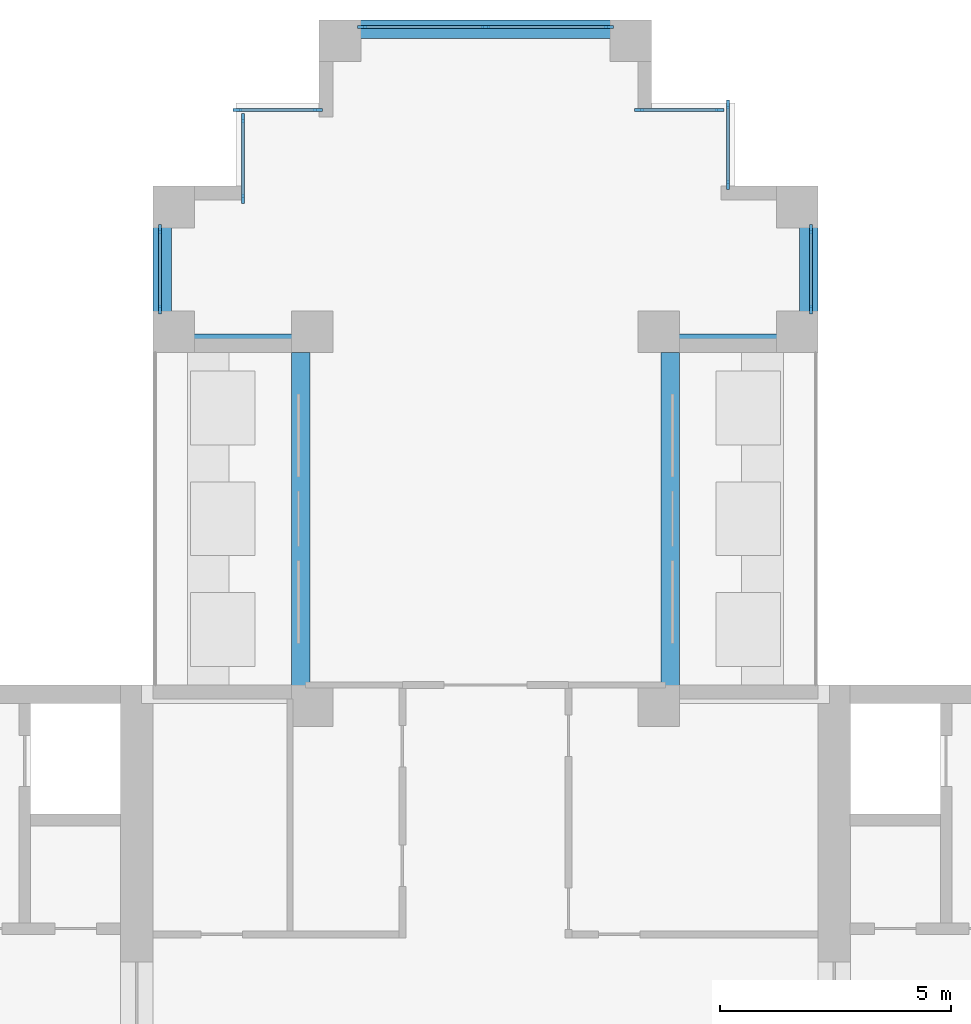
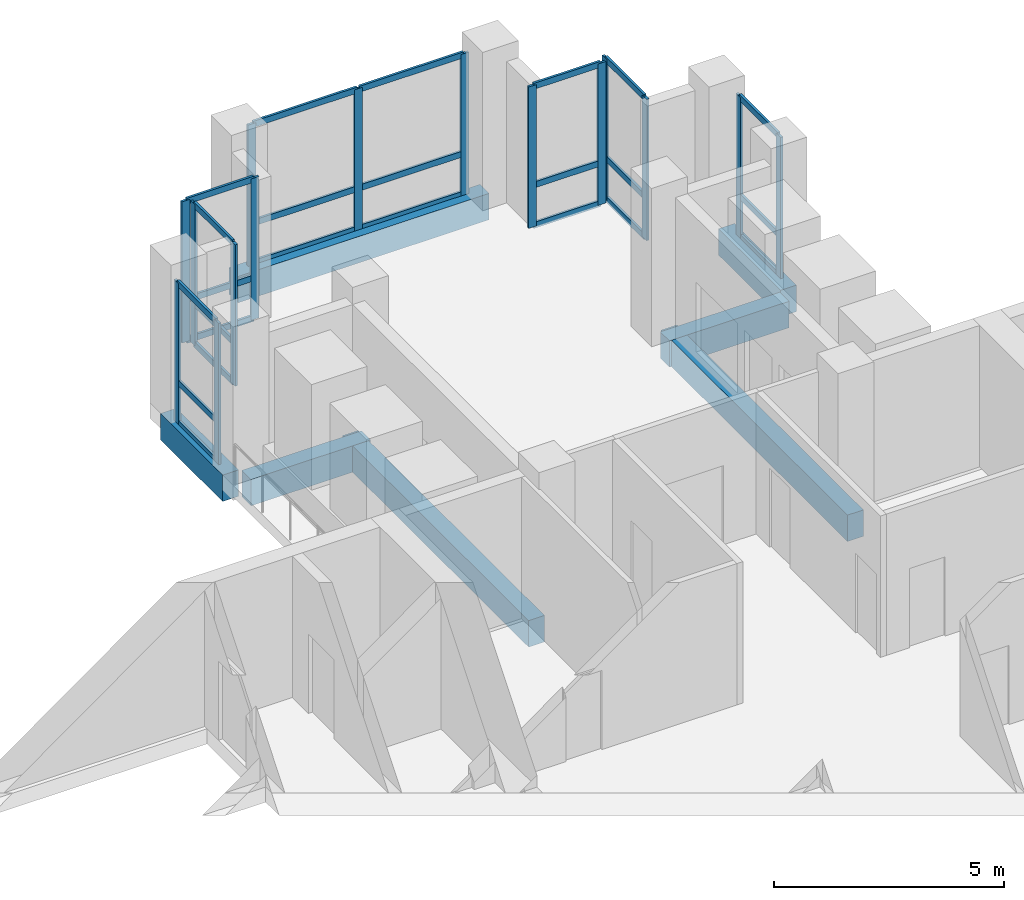
# One storey, part 5 of 13: 39 members, 7 beams, 7 elements without a shape of their own.
"""IFC4 building model written with IfcOpenShell, lengths in metres."""

from ifc_helpers import new_model, si_unit, direction, frame, origin, origin_2d, place, context, subcontext, project, spatial, rectangle, extrude, material, material_profile, profile_set, type_object, element, aggregate, save


model = new_model("IFC4")

# Units and contexts
model_context = context("Model", 3, precision=1e-05, world=origin(), true_north=direction((0.0, 1.0)))
body_context = subcontext(model_context, "Body", "Model", "MODEL_VIEW")
ifc_project = project(units=[si_unit("LENGTHUNIT", "METRE"), si_unit("AREAUNIT", "SQUARE_METRE"), si_unit("VOLUMEUNIT", "CUBIC_METRE"), si_unit("PLANEANGLEUNIT", "RADIAN"), si_unit("MASSUNIT", "GRAM", prefix="KILO")], contexts=[model_context])

# Site, building, storey
site_placement = place(None, origin())
site = spatial("IfcSite", under=ifc_project, at=site_placement, CompositionType="ELEMENT")
building_placement = place(site_placement, origin())
building = spatial("IfcBuilding", under=site, at=building_placement, Name="Fustian Cross Tower", CompositionType="ELEMENT")
storey_placement = place(building_placement, frame((0.0, 0.0, 237.89990234375)))
storey = spatial("IfcBuildingStorey", under=building, at=storey_placement, Name="L75", CompositionType="ELEMENT", Elevation=237.89990234375)

# Curtain wall, members
ifc_material_1 = material(Name="Dark anodised aluminium and double glazing", Category="aluminium")
curtain_wall_type = type_object("IfcCurtainWallType", Name="CW2 SUMMIT LOUNGE CURTAIN WALL", PredefinedType="NOTDEFINED", material=ifc_material_1)
curtain_wall_1_placement = place(storey_placement, origin())
curtain_wall_1 = element("IfcCurtainWall", 1, at=curtain_wall_1_placement, inside=storey, type_object=curtain_wall_type, Name="Curtain wall", PredefinedType="NOTDEFINED")
ifc_material_2 = material(Name="Aluminium alloy 6063", Category="aluminium")
ifc_material_profile_1 = material_profile(ifc_material_2, rectangle(XDim=0.06005859375, YDim=0.199951171875, at=origin_2d()), Name="CW2 MULLION 60X200")
ifc_profile_set_1 = profile_set([ifc_material_profile_1], Name="Aluminium alloy 6063")
member_type_1 = type_object("IfcMemberType", Name="CW2 MULLION 60X200", PredefinedType="MULLION", material=ifc_profile_set_1)
member_1_placement = place(storey_placement, frame((7.050048828125, 15.330078125, 0.0), z_axis=(0.0, 0.0, 1.0), x_axis=(-1.0, 0.0, 0.0)))
member_1 = element("IfcMember", 2, at=member_1_placement, type_object=member_type_1, Name="CW2 mullion 1", PredefinedType="MULLION", context=body_context, shape_type="SweptSolid", body=[
    extrude(rectangle(XDim=0.06005859375, YDim=0.199951171875, at=origin_2d()), origin(), (0.0, 0.0, 1.0), 3.75),
])
member_2_placement = place(storey_placement, frame((7.050048828125, 17.070068359375, 0.0), z_axis=(0.0, 0.0, 1.0), x_axis=(-1.0, 0.0, 0.0)))
member_2 = element("IfcMember", 3, at=member_2_placement, type_object=member_type_1, Name="CW2 mullion 2", PredefinedType="MULLION", context=body_context, shape_type="SweptSolid", body=[
    extrude(rectangle(XDim=0.06005859375, YDim=0.199951171875, at=origin_2d()), origin(), (0.0, 0.0, 1.0), 3.75),
])

curtain_wall_2_placement = place(storey_placement, origin())
curtain_wall_2 = element("IfcCurtainWall", 4, at=curtain_wall_2_placement, inside=storey, type_object=curtain_wall_type, Name="Curtain wall", PredefinedType="NOTDEFINED")
member_3_placement = place(storey_placement, frame((5.25, 18.030029296875, 0.0), z_axis=(0.0, 0.0, 1.0), x_axis=(-1.0, 0.0, 0.0)))
member_3 = element("IfcMember", 5, at=member_3_placement, type_object=member_type_1, Name="CW2 mullion 1", PredefinedType="MULLION", context=body_context, shape_type="SweptSolid", body=[
    extrude(rectangle(XDim=0.06005859375, YDim=0.199951171875, at=origin_2d()), origin(), (0.0, 0.0, 1.0), 3.75),
])
member_4_placement = place(storey_placement, frame((5.25, 19.77001953125, 0.0), z_axis=(0.0, 0.0, 1.0), x_axis=(-1.0, 0.0, 0.0)))
member_4 = element("IfcMember", 6, at=member_4_placement, type_object=member_type_1, Name="CW2 mullion 2", PredefinedType="MULLION", context=body_context, shape_type="SweptSolid", body=[
    extrude(rectangle(XDim=0.06005859375, YDim=0.199951171875, at=origin_2d()), origin(), (0.0, 0.0, 1.0), 3.75),
])

curtain_wall_3_placement = place(storey_placement, origin())
curtain_wall_3 = element("IfcCurtainWall", 7, at=curtain_wall_3_placement, inside=storey, type_object=curtain_wall_type, Name="Curtain wall", PredefinedType="NOTDEFINED")
member_5_placement = place(storey_placement, frame((5.070068359375, 19.64990234375, 0.0), z_axis=(0.0, 0.0, 1.0), x_axis=(0.0, -1.0, 0.0)))
member_5 = element("IfcMember", 8, at=member_5_placement, type_object=member_type_1, Name="CW2 mullion 1", PredefinedType="MULLION", context=body_context, shape_type="SweptSolid", body=[
    extrude(rectangle(XDim=0.06005859375, YDim=0.199951171875, at=origin_2d()), origin(), (0.0, 0.0, 1.0), 3.75),
])
member_6_placement = place(storey_placement, frame((3.330078125, 19.64990234375, 0.0), z_axis=(0.0, 0.0, 1.0), x_axis=(0.0, -1.0, 0.0)))
member_6 = element("IfcMember", 9, at=member_6_placement, type_object=member_type_1, Name="CW2 mullion 2", PredefinedType="MULLION", context=body_context, shape_type="SweptSolid", body=[
    extrude(rectangle(XDim=0.06005859375, YDim=0.199951171875, at=origin_2d()), origin(), (0.0, 0.0, 1.0), 3.75),
])

curtain_wall_4_placement = place(storey_placement, origin())
curtain_wall_4 = element("IfcCurtainWall", 10, at=curtain_wall_4_placement, inside=storey, type_object=curtain_wall_type, Name="Curtain wall", PredefinedType="NOTDEFINED")
member_7_placement = place(storey_placement, frame((2.669921875, 21.449951171875, 0.0), z_axis=(0.0, 0.0, 1.0), x_axis=(0.0, -1.0, 0.0)))
member_7 = element("IfcMember", 11, at=member_7_placement, type_object=member_type_1, Name="CW2 mullion 1", PredefinedType="MULLION", context=body_context, shape_type="SweptSolid", body=[
    extrude(rectangle(XDim=0.06005859375, YDim=0.199951171875, at=origin_2d()), origin(), (0.0, 0.0, 1.0), 3.75),
])
member_8_placement = place(storey_placement, frame((0.0, 21.449951171875, 0.0), z_axis=(0.0, 0.0, 1.0), x_axis=(0.0, -1.0, 0.0)))
member_8 = element("IfcMember", 12, at=member_8_placement, type_object=member_type_1, Name="CW2 mullion 2", PredefinedType="MULLION", context=body_context, shape_type="SweptSolid", body=[
    extrude(rectangle(XDim=0.06005859375, YDim=0.199951171875, at=origin_2d()), origin(), (0.0, 0.0, 1.0), 3.75),
])
member_9_placement = place(storey_placement, frame((-2.669921875, 21.449951171875, 0.0), z_axis=(0.0, 0.0, 1.0), x_axis=(0.0, -1.0, 0.0)))
member_9 = element("IfcMember", 13, at=member_9_placement, type_object=member_type_1, Name="CW2 mullion 3", PredefinedType="MULLION", context=body_context, shape_type="SweptSolid", body=[
    extrude(rectangle(XDim=0.06005859375, YDim=0.199951171875, at=origin_2d()), origin(), (0.0, 0.0, 1.0), 3.75),
])

curtain_wall_5_placement = place(storey_placement, origin())
curtain_wall_5 = element("IfcCurtainWall", 14, at=curtain_wall_5_placement, inside=storey, type_object=curtain_wall_type, Name="Curtain wall", PredefinedType="NOTDEFINED")
member_10_placement = place(storey_placement, frame((-3.6298828125, 19.64990234375, 0.0), z_axis=(0.0, 0.0, 1.0), x_axis=(0.0, -1.0, 0.0)))
member_10 = element("IfcMember", 15, at=member_10_placement, type_object=member_type_1, Name="CW2 mullion 1", PredefinedType="MULLION", context=body_context, shape_type="SweptSolid", body=[
    extrude(rectangle(XDim=0.06005859375, YDim=0.199951171875, at=origin_2d()), origin(), (0.0, 0.0, 1.0), 3.75),
])
member_11_placement = place(storey_placement, frame((-5.3701171875, 19.64990234375, 0.0), z_axis=(0.0, 0.0, 1.0), x_axis=(0.0, -1.0, 0.0)))
member_11 = element("IfcMember", 16, at=member_11_placement, type_object=member_type_1, Name="CW2 mullion 2", PredefinedType="MULLION", context=body_context, shape_type="SweptSolid", body=[
    extrude(rectangle(XDim=0.06005859375, YDim=0.199951171875, at=origin_2d()), origin(), (0.0, 0.0, 1.0), 3.75),
])

curtain_wall_6_placement = place(storey_placement, origin())
curtain_wall_6 = element("IfcCurtainWall", 17, at=curtain_wall_6_placement, inside=storey, type_object=curtain_wall_type, Name="Curtain wall", PredefinedType="NOTDEFINED")
member_12_placement = place(storey_placement, frame((-5.25, 19.469970703125, 0.0), z_axis=(0.0, 0.0, 1.0), x_axis=(1.0, 0.0, 0.0)))
member_12 = element("IfcMember", 18, at=member_12_placement, type_object=member_type_1, Name="CW2 mullion 1", PredefinedType="MULLION", context=body_context, shape_type="SweptSolid", body=[
    extrude(rectangle(XDim=0.06005859375, YDim=0.199951171875, at=origin_2d()), origin(), (0.0, 0.0, 1.0), 3.75),
])
member_13_placement = place(storey_placement, frame((-5.25, 17.72998046875, 0.0), z_axis=(0.0, 0.0, 1.0), x_axis=(1.0, 0.0, 0.0)))
member_13 = element("IfcMember", 19, at=member_13_placement, type_object=member_type_1, Name="CW2 mullion 2", PredefinedType="MULLION", context=body_context, shape_type="SweptSolid", body=[
    extrude(rectangle(XDim=0.06005859375, YDim=0.199951171875, at=origin_2d()), origin(), (0.0, 0.0, 1.0), 3.75),
])

curtain_wall_7_placement = place(storey_placement, origin())
curtain_wall_7 = element("IfcCurtainWall", 20, at=curtain_wall_7_placement, inside=storey, type_object=curtain_wall_type, Name="Curtain wall", PredefinedType="NOTDEFINED")
member_14_placement = place(storey_placement, frame((-7.050048828125, 17.070068359375, 0.0), z_axis=(0.0, 0.0, 1.0), x_axis=(1.0, 0.0, 0.0)))
member_14 = element("IfcMember", 21, at=member_14_placement, type_object=member_type_1, Name="CW2 mullion 1", PredefinedType="MULLION", context=body_context, shape_type="SweptSolid", body=[
    extrude(rectangle(XDim=0.06005859375, YDim=0.199951171875, at=origin_2d()), origin(), (0.0, 0.0, 1.0), 3.75),
])
member_15_placement = place(storey_placement, frame((-7.050048828125, 15.330078125, 0.0), z_axis=(0.0, 0.0, 1.0), x_axis=(1.0, 0.0, 0.0)))
member_15 = element("IfcMember", 22, at=member_15_placement, type_object=member_type_1, Name="CW2 mullion 2", PredefinedType="MULLION", context=body_context, shape_type="SweptSolid", body=[
    extrude(rectangle(XDim=0.06005859375, YDim=0.199951171875, at=origin_2d()), origin(), (0.0, 0.0, 1.0), 3.75),
])

# Member
ifc_material_3 = material(Name="Aluminium alloy 6063", Category="aluminium")
ifc_material_profile_2 = material_profile(ifc_material_3, rectangle(XDim=0.06005859375, YDim=0.159912109375, at=origin_2d()), Name="CW2 TRANSOM 60X160")
ifc_profile_set_2 = profile_set([ifc_material_profile_2], Name="Aluminium alloy 6063")
member_type_2 = type_object("IfcMemberType", Name="CW2 TRANSOM 60X160", PredefinedType="USERDEFINED", material=ifc_profile_set_2)
member_16_placement = place(storey_placement, frame((7.050048828125, 15.360107421875, 0.030029296875), z_axis=(0.0, 1.0, 0.0), x_axis=(-1.0, 0.0, 0.0)))
member_16 = element("IfcMember", 23, at=member_16_placement, type_object=member_type_2, Name="CW2 transom 1.1", ObjectType="TRANSOM", PredefinedType="USERDEFINED", context=body_context, shape_type="SweptSolid", body=[
    extrude(rectangle(XDim=0.06005859375, YDim=0.159912109375, at=origin_2d()), origin(), (0.0, 0.0, 1.0), 1.679931640625),
])

member_17_placement = place(storey_placement, frame((7.050048828125, 15.360107421875, 1.10009765625), z_axis=(0.0, 1.0, 0.0), x_axis=(-1.0, 0.0, 0.0)))
member_17 = element("IfcMember", 24, at=member_17_placement, type_object=member_type_2, Name="CW2 transom 1.2", ObjectType="TRANSOM", PredefinedType="USERDEFINED", context=body_context, shape_type="SweptSolid", body=[
    extrude(rectangle(XDim=0.06005859375, YDim=0.159912109375, at=origin_2d()), origin(), (0.0, 0.0, 1.0), 1.679931640625),
])

member_18_placement = place(storey_placement, frame((7.050048828125, 15.360107421875, 3.72021484375), z_axis=(0.0, 1.0, 0.0), x_axis=(-1.0, 0.0, 0.0)))
member_18 = element("IfcMember", 25, at=member_18_placement, type_object=member_type_2, Name="CW2 transom 1.3", ObjectType="TRANSOM", PredefinedType="USERDEFINED", context=body_context, shape_type="SweptSolid", body=[
    extrude(rectangle(XDim=0.06005859375, YDim=0.159912109375, at=origin_2d()), origin(), (0.0, 0.0, 1.0), 1.679931640625),
])

aggregate(curtain_wall_1, [member_1, member_2, member_16, member_17, member_18])

member_19_placement = place(storey_placement, frame((5.25, 18.06005859375, 0.030029296875), z_axis=(0.0, 1.0, 0.0), x_axis=(-1.0, 0.0, 0.0)))
member_19 = element("IfcMember", 26, at=member_19_placement, type_object=member_type_2, Name="CW2 transom 1.1", ObjectType="TRANSOM", PredefinedType="USERDEFINED", context=body_context, shape_type="SweptSolid", body=[
    extrude(rectangle(XDim=0.06005859375, YDim=0.159912109375, at=origin_2d()), origin(), (0.0, 0.0, 1.0), 1.679931640625),
])

member_20_placement = place(storey_placement, frame((5.25, 18.06005859375, 1.10009765625), z_axis=(0.0, 1.0, 0.0), x_axis=(-1.0, 0.0, 0.0)))
member_20 = element("IfcMember", 27, at=member_20_placement, type_object=member_type_2, Name="CW2 transom 1.2", ObjectType="TRANSOM", PredefinedType="USERDEFINED", context=body_context, shape_type="SweptSolid", body=[
    extrude(rectangle(XDim=0.06005859375, YDim=0.159912109375, at=origin_2d()), origin(), (0.0, 0.0, 1.0), 1.679931640625),
])

member_21_placement = place(storey_placement, frame((5.25, 18.06005859375, 3.72021484375), z_axis=(0.0, 1.0, 0.0), x_axis=(-1.0, 0.0, 0.0)))
member_21 = element("IfcMember", 28, at=member_21_placement, type_object=member_type_2, Name="CW2 transom 1.3", ObjectType="TRANSOM", PredefinedType="USERDEFINED", context=body_context, shape_type="SweptSolid", body=[
    extrude(rectangle(XDim=0.06005859375, YDim=0.159912109375, at=origin_2d()), origin(), (0.0, 0.0, 1.0), 1.679931640625),
])

aggregate(curtain_wall_2, [member_3, member_4, member_19, member_20, member_21])

member_22_placement = place(storey_placement, frame((5.0400390625, 19.64990234375, 0.030029296875), z_axis=(-1.0, 0.0, 0.0), x_axis=(0.0, -1.0, 0.0)))
member_22 = element("IfcMember", 29, at=member_22_placement, type_object=member_type_2, Name="CW2 transom 1.1", ObjectType="TRANSOM", PredefinedType="USERDEFINED", context=body_context, shape_type="SweptSolid", body=[
    extrude(rectangle(XDim=0.06005859375, YDim=0.159912109375, at=origin_2d()), origin(), (0.0, 0.0, 1.0), 1.679931640625),
])

member_23_placement = place(storey_placement, frame((5.0400390625, 19.64990234375, 1.10009765625), z_axis=(-1.0, 0.0, 0.0), x_axis=(0.0, -1.0, 0.0)))
member_23 = element("IfcMember", 30, at=member_23_placement, type_object=member_type_2, Name="CW2 transom 1.2", ObjectType="TRANSOM", PredefinedType="USERDEFINED", context=body_context, shape_type="SweptSolid", body=[
    extrude(rectangle(XDim=0.06005859375, YDim=0.159912109375, at=origin_2d()), origin(), (0.0, 0.0, 1.0), 1.679931640625),
])

member_24_placement = place(storey_placement, frame((5.0400390625, 19.64990234375, 3.72021484375), z_axis=(-1.0, 0.0, 0.0), x_axis=(0.0, -1.0, 0.0)))
member_24 = element("IfcMember", 31, at=member_24_placement, type_object=member_type_2, Name="CW2 transom 1.3", ObjectType="TRANSOM", PredefinedType="USERDEFINED", context=body_context, shape_type="SweptSolid", body=[
    extrude(rectangle(XDim=0.06005859375, YDim=0.159912109375, at=origin_2d()), origin(), (0.0, 0.0, 1.0), 1.679931640625),
])

aggregate(curtain_wall_3, [member_5, member_6, member_22, member_23, member_24])

member_25_placement = place(storey_placement, frame((2.639892578125, 21.449951171875, 0.030029296875), z_axis=(-1.0, 0.0, 0.0), x_axis=(0.0, -1.0, 0.0)))
member_25 = element("IfcMember", 32, at=member_25_placement, type_object=member_type_2, Name="CW2 transom 1.1", ObjectType="TRANSOM", PredefinedType="USERDEFINED", context=body_context, shape_type="SweptSolid", body=[
    extrude(rectangle(XDim=0.06005859375, YDim=0.159912109375, at=origin_2d()), origin(), (0.0, 0.0, 1.0), 2.60986328125),
])

member_26_placement = place(storey_placement, frame((2.639892578125, 21.449951171875, 1.10009765625), z_axis=(-1.0, 0.0, 0.0), x_axis=(0.0, -1.0, 0.0)))
member_26 = element("IfcMember", 33, at=member_26_placement, type_object=member_type_2, Name="CW2 transom 1.2", ObjectType="TRANSOM", PredefinedType="USERDEFINED", context=body_context, shape_type="SweptSolid", body=[
    extrude(rectangle(XDim=0.06005859375, YDim=0.159912109375, at=origin_2d()), origin(), (0.0, 0.0, 1.0), 2.60986328125),
])

member_27_placement = place(storey_placement, frame((2.639892578125, 21.449951171875, 3.72021484375), z_axis=(-1.0, 0.0, 0.0), x_axis=(0.0, -1.0, 0.0)))
member_27 = element("IfcMember", 34, at=member_27_placement, type_object=member_type_2, Name="CW2 transom 1.3", ObjectType="TRANSOM", PredefinedType="USERDEFINED", context=body_context, shape_type="SweptSolid", body=[
    extrude(rectangle(XDim=0.06005859375, YDim=0.159912109375, at=origin_2d()), origin(), (0.0, 0.0, 1.0), 2.60986328125),
])

member_28_placement = place(storey_placement, frame((-0.030029296875, 21.449951171875, 0.030029296875), z_axis=(-1.0, 0.0, 0.0), x_axis=(0.0, -1.0, 0.0)))
member_28 = element("IfcMember", 35, at=member_28_placement, type_object=member_type_2, Name="CW2 transom 2.1", ObjectType="TRANSOM", PredefinedType="USERDEFINED", context=body_context, shape_type="SweptSolid", body=[
    extrude(rectangle(XDim=0.06005859375, YDim=0.159912109375, at=origin_2d()), origin(), (0.0, 0.0, 1.0), 2.60986328125),
])

member_29_placement = place(storey_placement, frame((-0.030029296875, 21.449951171875, 1.10009765625), z_axis=(-1.0, 0.0, 0.0), x_axis=(0.0, -1.0, 0.0)))
member_29 = element("IfcMember", 36, at=member_29_placement, type_object=member_type_2, Name="CW2 transom 2.2", ObjectType="TRANSOM", PredefinedType="USERDEFINED", context=body_context, shape_type="SweptSolid", body=[
    extrude(rectangle(XDim=0.06005859375, YDim=0.159912109375, at=origin_2d()), origin(), (0.0, 0.0, 1.0), 2.60986328125),
])

member_30_placement = place(storey_placement, frame((-0.030029296875, 21.449951171875, 3.72021484375), z_axis=(-1.0, 0.0, 0.0), x_axis=(0.0, -1.0, 0.0)))
member_30 = element("IfcMember", 37, at=member_30_placement, type_object=member_type_2, Name="CW2 transom 2.3", ObjectType="TRANSOM", PredefinedType="USERDEFINED", context=body_context, shape_type="SweptSolid", body=[
    extrude(rectangle(XDim=0.06005859375, YDim=0.159912109375, at=origin_2d()), origin(), (0.0, 0.0, 1.0), 2.60986328125),
])

aggregate(curtain_wall_4, [member_7, member_8, member_9, member_25, member_26, member_27, member_28, member_29, member_30])

member_31_placement = place(storey_placement, frame((-3.659912109375, 19.64990234375, 0.030029296875), z_axis=(-1.0, 0.0, 0.0), x_axis=(0.0, -1.0, 0.0)))
member_31 = element("IfcMember", 38, at=member_31_placement, type_object=member_type_2, Name="CW2 transom 1.1", ObjectType="TRANSOM", PredefinedType="USERDEFINED", context=body_context, shape_type="SweptSolid", body=[
    extrude(rectangle(XDim=0.06005859375, YDim=0.159912109375, at=origin_2d()), origin(), (0.0, 0.0, 1.0), 1.68017578125),
])

member_32_placement = place(storey_placement, frame((-3.659912109375, 19.64990234375, 1.10009765625), z_axis=(-1.0, 0.0, 0.0), x_axis=(0.0, -1.0, 0.0)))
member_32 = element("IfcMember", 39, at=member_32_placement, type_object=member_type_2, Name="CW2 transom 1.2", ObjectType="TRANSOM", PredefinedType="USERDEFINED", context=body_context, shape_type="SweptSolid", body=[
    extrude(rectangle(XDim=0.06005859375, YDim=0.159912109375, at=origin_2d()), origin(), (0.0, 0.0, 1.0), 1.68017578125),
])

member_33_placement = place(storey_placement, frame((-3.659912109375, 19.64990234375, 3.72021484375), z_axis=(-1.0, 0.0, 0.0), x_axis=(0.0, -1.0, 0.0)))
member_33 = element("IfcMember", 40, at=member_33_placement, type_object=member_type_2, Name="CW2 transom 1.3", ObjectType="TRANSOM", PredefinedType="USERDEFINED", context=body_context, shape_type="SweptSolid", body=[
    extrude(rectangle(XDim=0.06005859375, YDim=0.159912109375, at=origin_2d()), origin(), (0.0, 0.0, 1.0), 1.68017578125),
])

aggregate(curtain_wall_5, [member_10, member_11, member_31, member_32, member_33])

member_34_placement = place(storey_placement, frame((-5.25, 19.43994140625, 0.030029296875), z_axis=(0.0, -1.0, 0.0), x_axis=(1.0, 0.0, 0.0)))
member_34 = element("IfcMember", 41, at=member_34_placement, type_object=member_type_2, Name="CW2 transom 1.1", ObjectType="TRANSOM", PredefinedType="USERDEFINED", context=body_context, shape_type="SweptSolid", body=[
    extrude(rectangle(XDim=0.06005859375, YDim=0.159912109375, at=origin_2d()), origin(), (0.0, 0.0, 1.0), 1.679931640625),
])

member_35_placement = place(storey_placement, frame((-5.25, 19.43994140625, 1.10009765625), z_axis=(0.0, -1.0, 0.0), x_axis=(1.0, 0.0, 0.0)))
member_35 = element("IfcMember", 42, at=member_35_placement, type_object=member_type_2, Name="CW2 transom 1.2", ObjectType="TRANSOM", PredefinedType="USERDEFINED", context=body_context, shape_type="SweptSolid", body=[
    extrude(rectangle(XDim=0.06005859375, YDim=0.159912109375, at=origin_2d()), origin(), (0.0, 0.0, 1.0), 1.679931640625),
])

member_36_placement = place(storey_placement, frame((-5.25, 19.43994140625, 3.72021484375), z_axis=(0.0, -1.0, 0.0), x_axis=(1.0, 0.0, 0.0)))
member_36 = element("IfcMember", 43, at=member_36_placement, type_object=member_type_2, Name="CW2 transom 1.3", ObjectType="TRANSOM", PredefinedType="USERDEFINED", context=body_context, shape_type="SweptSolid", body=[
    extrude(rectangle(XDim=0.06005859375, YDim=0.159912109375, at=origin_2d()), origin(), (0.0, 0.0, 1.0), 1.679931640625),
])

aggregate(curtain_wall_6, [member_12, member_13, member_34, member_35, member_36])

member_37_placement = place(storey_placement, frame((-7.050048828125, 17.0400390625, 0.030029296875), z_axis=(0.0, -1.0, 0.0), x_axis=(1.0, 0.0, 0.0)))
member_37 = element("IfcMember", 44, at=member_37_placement, type_object=member_type_2, Name="CW2 transom 1.1", ObjectType="TRANSOM", PredefinedType="USERDEFINED", context=body_context, shape_type="SweptSolid", body=[
    extrude(rectangle(XDim=0.06005859375, YDim=0.159912109375, at=origin_2d()), origin(), (0.0, 0.0, 1.0), 1.679931640625),
])

member_38_placement = place(storey_placement, frame((-7.050048828125, 17.0400390625, 1.10009765625), z_axis=(0.0, -1.0, 0.0), x_axis=(1.0, 0.0, 0.0)))
member_38 = element("IfcMember", 45, at=member_38_placement, type_object=member_type_2, Name="CW2 transom 1.2", ObjectType="TRANSOM", PredefinedType="USERDEFINED", context=body_context, shape_type="SweptSolid", body=[
    extrude(rectangle(XDim=0.06005859375, YDim=0.159912109375, at=origin_2d()), origin(), (0.0, 0.0, 1.0), 1.679931640625),
])

member_39_placement = place(storey_placement, frame((-7.050048828125, 17.0400390625, 3.72021484375), z_axis=(0.0, -1.0, 0.0), x_axis=(1.0, 0.0, 0.0)))
member_39 = element("IfcMember", 46, at=member_39_placement, type_object=member_type_2, Name="CW2 transom 1.3", ObjectType="TRANSOM", PredefinedType="USERDEFINED", context=body_context, shape_type="SweptSolid", body=[
    extrude(rectangle(XDim=0.06005859375, YDim=0.159912109375, at=origin_2d()), origin(), (0.0, 0.0, 1.0), 1.679931640625),
])

aggregate(curtain_wall_7, [member_14, member_15, member_37, member_38, member_39])

# Beams
ifc_material_4 = material(Name="Concrete C50/60", Category="concrete")
ifc_material_profile_3 = material_profile(ifc_material_4, rectangle(XDim=0.39990234375, YDim=0.699951171875, at=origin_2d()), Name="RC 400x700")
ifc_profile_set_3 = profile_set([ifc_material_profile_3], Name="Concrete C50/60")
beam_type = type_object("IfcBeamType", Name="EDGE BEAM RC 400x700 C50/60", PredefinedType="SPANDREL", material=ifc_profile_set_3)
beam_1_placement = place(storey_placement, frame((4.0, 6.75, -0.349853515625), z_axis=(0.0, 1.0, 0.0), x_axis=(-1.0, 0.0, 0.0)))
element("IfcBeam", 47, at=beam_1_placement, inside=storey, type_object=beam_type, Name="EDGE BEAM L75-05", PredefinedType="SPANDREL", context=body_context, shape_type="SweptSolid", body=[
    extrude(rectangle(XDim=0.39990234375, YDim=0.699951171875, at=origin_2d()), origin(), (0.0, 0.0, 1.0), 8.10009765625),
])
beam_2_placement = place(storey_placement, frame((3.75, 14.60009765625, -0.349853515625), z_axis=(1.0, 0.0, 0.0), x_axis=(0.0, 1.0, 0.0)))
element("IfcBeam", 48, at=beam_2_placement, inside=storey, type_object=beam_type, Name="EDGE BEAM L75-06", PredefinedType="SPANDREL", context=body_context, shape_type="SweptSolid", body=[
    extrude(rectangle(XDim=0.39990234375, YDim=0.699951171875, at=origin_2d()), origin(), (0.0, 0.0, 1.0), 3.0),
])
beam_3_placement = place(storey_placement, frame((7.0, 14.85009765625, -0.349853515625), z_axis=(0.0, 1.0, 0.0), x_axis=(-1.0, 0.0, 0.0)))
element("IfcBeam", 49, at=beam_3_placement, inside=storey, type_object=beam_type, Name="EDGE BEAM L75-07", PredefinedType="SPANDREL", context=body_context, shape_type="SweptSolid", body=[
    extrude(rectangle(XDim=0.39990234375, YDim=0.699951171875, at=origin_2d()), origin(), (0.0, 0.0, 1.0), 2.699951171875),
])
beam_4_placement = place(storey_placement, frame((3.14990234375, 21.39990234375, -0.349853515625), z_axis=(-1.0, 0.0, 0.0), x_axis=(0.0, -1.0, 0.0)))
element("IfcBeam", 50, at=beam_4_placement, inside=storey, type_object=beam_type, Name="EDGE BEAM L75-08", PredefinedType="SPANDREL", context=body_context, shape_type="SweptSolid", body=[
    extrude(rectangle(XDim=0.39990234375, YDim=0.699951171875, at=origin_2d()), origin(), (0.0, 0.0, 1.0), 6.2998046875),
])
beam_5_placement = place(storey_placement, frame((-7.0, 17.550048828125, -0.349853515625), z_axis=(0.0, -1.0, 0.0), x_axis=(1.0, 0.0, 0.0)))
element("IfcBeam", 51, at=beam_5_placement, inside=storey, type_object=beam_type, Name="EDGE BEAM L75-09", PredefinedType="SPANDREL", context=body_context, shape_type="SweptSolid", body=[
    extrude(rectangle(XDim=0.39990234375, YDim=0.699951171875, at=origin_2d()), origin(), (0.0, 0.0, 1.0), 2.699951171875),
])
beam_6_placement = place(storey_placement, frame((-6.75, 14.60009765625, -0.349853515625), z_axis=(1.0, 0.0, 0.0), x_axis=(0.0, 1.0, 0.0)))
element("IfcBeam", 52, at=beam_6_placement, inside=storey, type_object=beam_type, Name="EDGE BEAM L75-10", PredefinedType="SPANDREL", context=body_context, shape_type="SweptSolid", body=[
    extrude(rectangle(XDim=0.39990234375, YDim=0.699951171875, at=origin_2d()), origin(), (0.0, 0.0, 1.0), 3.0),
])
beam_7_placement = place(storey_placement, frame((-4.0, 14.85009765625, -0.349853515625), z_axis=(0.0, -1.0, 0.0), x_axis=(1.0, 0.0, 0.0)))
element("IfcBeam", 53, at=beam_7_placement, inside=storey, type_object=beam_type, Name="EDGE BEAM L75-11", PredefinedType="SPANDREL", context=body_context, shape_type="SweptSolid", body=[
    extrude(rectangle(XDim=0.39990234375, YDim=0.699951171875, at=origin_2d()), origin(), (0.0, 0.0, 1.0), 8.10009765625),
])

save(model, "model.ifc")
